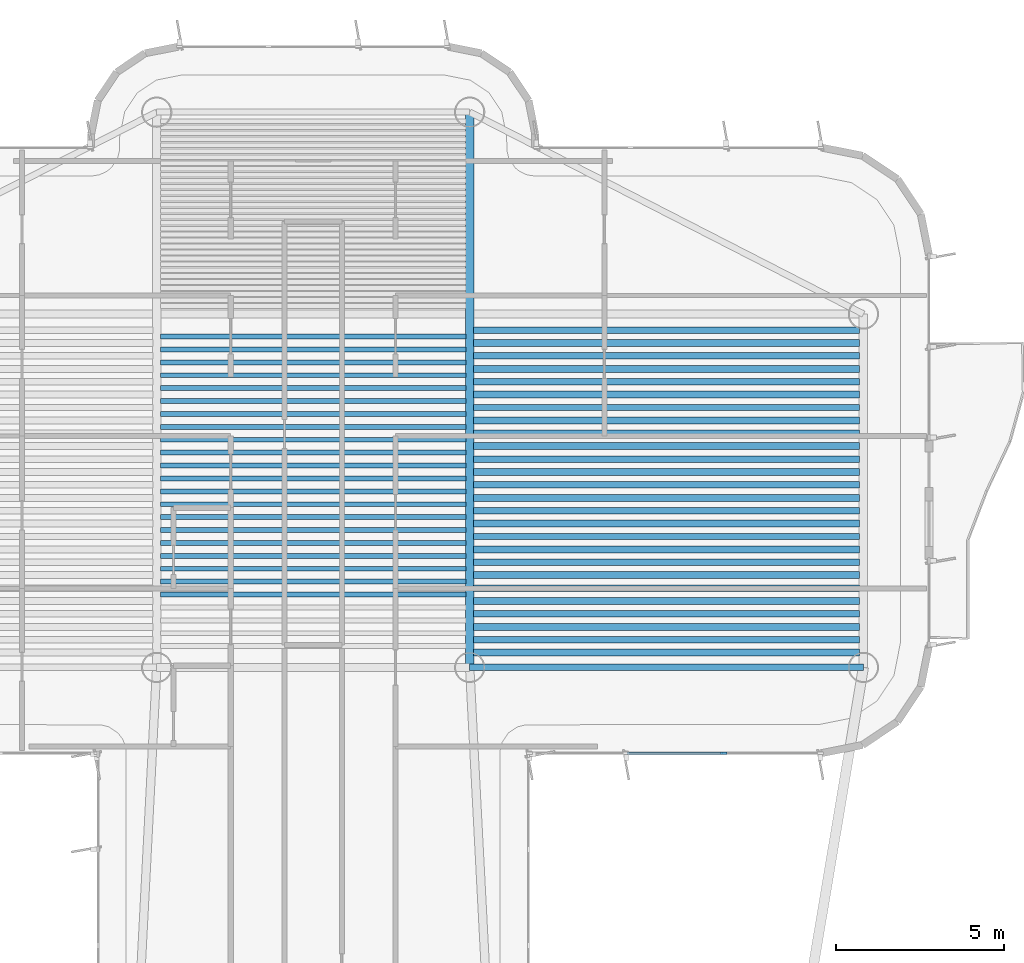
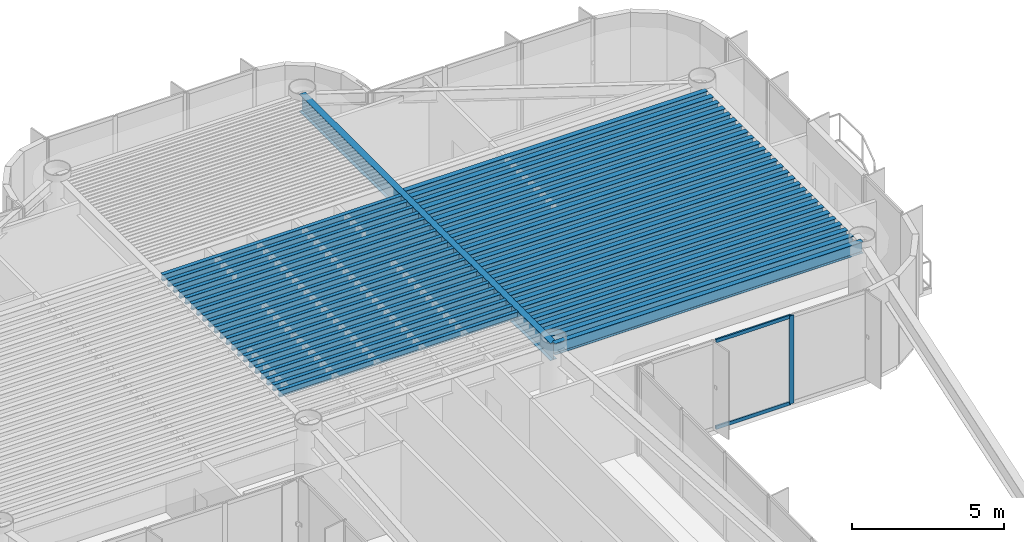
# One storey, part 6 of 15: 49 beams, 3 members, 1 element without a shape of its own.
"""IFC4 building model written with IfcOpenShell, lengths in metres."""

from ifc_helpers import new_model, si_unit, direction, frame, origin, origin_2d, place, context, subcontext, project, spatial, rectangle, i_section, extrude, source, transform, mapped, material, layer, layer_set, material_profile, profile_set, type_object, element, aggregate, save


model = new_model("IFC4")

# Units and contexts
model_context = context("Model", 3, precision=1e-05, world=origin(), true_north=direction((0.0, 1.0)))
body_context = subcontext(model_context, "Body", "Model", "MODEL_VIEW")
ifc_project = project(units=[si_unit("LENGTHUNIT", "METRE"), si_unit("AREAUNIT", "SQUARE_METRE"), si_unit("VOLUMEUNIT", "CUBIC_METRE"), si_unit("PLANEANGLEUNIT", "RADIAN"), si_unit("MASSUNIT", "GRAM", prefix="KILO")], contexts=[model_context])

# Site, building, storey
site_placement = place(None, origin())
site = spatial("IfcSite", under=ifc_project, at=site_placement, CompositionType="ELEMENT")
building_placement = place(site_placement, origin())
building = spatial("IfcBuilding", under=site, at=building_placement, Name="Brelvock Crest Care Tower", CompositionType="ELEMENT")
storey_placement = place(building_placement, frame((0.0, 0.0, 260.820068359375)))
storey = spatial("IfcBuildingStorey", under=building, at=storey_placement, Name="L66", CompositionType="ELEMENT", Elevation=260.820068359375)

# Beams
ifc_material_1 = material(Name="Steel Grade 350", Category="steel")
ifc_material_profile_1 = material_profile(ifc_material_1, i_section(OverallWidth=0.14599609375, OverallDepth=0.256103515625, WebThickness=0.00634765625, FlangeThickness=0.010986328125, FilletRadius=0.0087890625, at=origin_2d()), Name="250UB37.3")
ifc_profile_set_1 = profile_set([ifc_material_profile_1], Name="Steel Grade 350")
beam_type_1 = type_object("IfcBeamType", Name="BM-J3", PredefinedType="JOIST", material=ifc_profile_set_1)
shared_shape_1 = source(origin(), body_context, "Body", "SweptSolid", [
    extrude(i_section(OverallWidth=0.14599609375, OverallDepth=0.256103515625, WebThickness=0.00634765625, FlangeThickness=0.010986328125, FilletRadius=0.0087890625, at=origin_2d()), origin(), (0.0, 0.0, 1.0), 9.06982421875),
])
for number, where, z_axis, x_axis, name in (
    (1, (31.465087890625, 46.115478515625, 3.40185546875), (1.0, 0.0, 0.0), (0.0, 1.0, 0.0), "BM-JH-L66-5"),
    (2, (31.465087890625, 46.498779296875, 3.40185546875), (1.0, 0.0, 0.0), (0.0, 1.0, 0.0), "BM-JH-L66-6"),
    (3, (31.465087890625, 46.882080078125, 3.40185546875), (1.0, 0.0, 0.0), (0.0, 1.0, 0.0), "BM-JH-L66-7"),
    (4, (31.465087890625, 47.265380859375, 3.40185546875), (1.0, 0.0, 0.0), (0.0, 1.0, 0.0), "BM-JH-L66-8"),
    (5, (31.465087890625, 47.648681640625, 3.40185546875), (1.0, 0.0, 0.0), (0.0, 1.0, 0.0), "BM-JH-L66-9"),
    (6, (31.465087890625, 48.031982421875, 3.40185546875), (1.0, 0.0, 0.0), (0.0, 1.0, 0.0), "BM-JH-L66-10"),
    (7, (31.465087890625, 48.4150390625, 3.40185546875), (1.0, 0.0, 0.0), (0.0, 1.0, 0.0), "BM-JH-L66-11"),
    (8, (31.465087890625, 48.79833984375, 3.40185546875), (1.0, 0.0, 0.0), (0.0, 1.0, 0.0), "BM-JH-L66-12"),
    (9, (31.465087890625, 49.181640625, 3.40185546875), (1.0, 0.0, 0.0), (0.0, 1.0, 0.0), "BM-JH-L66-13"),
    (10, (31.465087890625, 49.564697265625, 3.40185546875), (1.0, 0.0, 0.0), (0.0, 1.0, 0.0), "BM-JH-L66-14"),
    (11, (31.465087890625, 49.947998046875, 3.40185546875), (1.0, 0.0, 0.0), (0.0, 1.0, 0.0), "BM-JH-L66-15"),
    (12, (31.465087890625, 50.331298828125, 3.40185546875), (1.0, 0.0, 0.0), (0.0, 1.0, 0.0), "BM-JH-L66-16"),
    (13, (31.465087890625, 50.714599609375, 3.40185546875), (1.0, 0.0, 0.0), (0.0, 1.0, 0.0), "BM-JH-L66-17"),
    (14, (31.465087890625, 51.097900390625, 3.40185546875), (1.0, 0.0, 0.0), (0.0, 1.0, 0.0), "BM-JH-L66-18"),
    (15, (31.465087890625, 51.481201171875, 3.40185546875), (1.0, 0.0, 0.0), (0.0, 1.0, 0.0), "BM-JH-L66-19"),
    (16, (31.465087890625, 51.864501953125, 3.40185546875), (1.0, 0.0, 0.0), (0.0, 1.0, 0.0), "BM-JH-L66-20"),
    (17, (31.465087890625, 52.24755859375, 3.40185546875), (1.0, 0.0, 0.0), (0.0, 1.0, 0.0), "BM-JH-L66-21"),
    (18, (31.465087890625, 52.630859375, 3.40185546875), (1.0, 0.0, 0.0), (0.0, 1.0, 0.0), "BM-JH-L66-22"),
    (19, (31.465087890625, 53.01416015625, 3.40185546875), (1.0, 0.0, 0.0), (0.0, 1.0, 0.0), "BM-JH-L66-23"),
    (20, (31.465087890625, 53.3974609375, 3.40185546875), (1.0, 0.0, 0.0), (0.0, 1.0, 0.0), "BM-JH-L66-24"),
    (21, (31.465087890625, 53.780517578125, 3.40185546875), (1.0, 0.0, 0.0), (0.0, 1.0, 0.0), "BM-JH-L66-25"),
):
    element("IfcBeam", number, at=place(storey_placement, frame(where, z_axis=z_axis, x_axis=x_axis)), inside=storey, type_object=beam_type_1, Name=name, PredefinedType="JOIST", context=body_context, shape_type="MappedRepresentation", body=[
        mapped(shared_shape_1, transform((0.0, 0.0, 0.0), x_axis=(1.0, 0.0, 0.0), y_axis=(0.0, 1.0, 0.0), z_axis=(0.0, 0.0, 1.0), scale=1.0)),
    ])
ifc_material_profile_2 = material_profile(ifc_material_1, i_section(OverallWidth=0.19091796875, OverallDepth=0.4599609375, WebThickness=0.010009765625, FlangeThickness=0.01611328125, FilletRadius=0.011474609375, at=origin_2d()), Name="460UB82.1")
ifc_profile_set_2 = profile_set([ifc_material_profile_2], Name="Steel Grade 350")
beam_type_2 = type_object("IfcBeamType", Name="BM-G3", PredefinedType="BEAM", material=ifc_profile_set_2)
shared_shape_2 = source(origin(), body_context, "Body", "SweptSolid", [
    extrude(i_section(OverallWidth=0.19091796875, OverallDepth=0.4599609375, WebThickness=0.010009765625, FlangeThickness=0.01611328125, FilletRadius=0.011474609375, at=origin_2d()), origin(), (0.0, 0.0, 1.0), 11.47021484375),
])
for number, where, z_axis, x_axis, name in (
    (22, (40.764892578125, 44.7744140625, 3.300048828125), (1.0, 0.0, 0.0), (0.0, 1.0, 0.0), "BM-JE-L66-2"),
    (23, (40.764892578125, 45.540771484375, 3.300048828125), (1.0, 0.0, 0.0), (0.0, 1.0, 0.0), "BM-JE-L66-4"),
    (24, (40.764892578125, 46.307373046875, 3.300048828125), (1.0, 0.0, 0.0), (0.0, 1.0, 0.0), "BM-JE-L66-6"),
    (25, (40.764892578125, 47.07373046875, 3.300048828125), (1.0, 0.0, 0.0), (0.0, 1.0, 0.0), "BM-JE-L66-8"),
    (26, (40.764892578125, 47.84033203125, 3.300048828125), (1.0, 0.0, 0.0), (0.0, 1.0, 0.0), "BM-JE-L66-10"),
    (27, (40.764892578125, 48.606689453125, 3.300048828125), (1.0, 0.0, 0.0), (0.0, 1.0, 0.0), "BM-JE-L66-12"),
    (28, (40.764892578125, 49.373291015625, 3.300048828125), (1.0, 0.0, 0.0), (0.0, 1.0, 0.0), "BM-JE-L66-14"),
    (29, (40.764892578125, 50.139892578125, 3.300048828125), (1.0, 0.0, 0.0), (0.0, 1.0, 0.0), "BM-JE-L66-16"),
    (30, (40.764892578125, 50.90625, 3.300048828125), (1.0, 0.0, 0.0), (0.0, 1.0, 0.0), "BM-JE-L66-18"),
    (31, (40.764892578125, 51.6728515625, 3.300048828125), (1.0, 0.0, 0.0), (0.0, 1.0, 0.0), "BM-JE-L66-20"),
    (32, (40.764892578125, 52.439208984375, 3.300048828125), (1.0, 0.0, 0.0), (0.0, 1.0, 0.0), "BM-JE-L66-22"),
    (33, (40.764892578125, 53.205810546875, 3.300048828125), (1.0, 0.0, 0.0), (0.0, 1.0, 0.0), "BM-JE-L66-24"),
    (34, (40.764892578125, 53.972412109375, 3.300048828125), (1.0, 0.0, 0.0), (0.0, 1.0, 0.0), "BM-JE-L66-26"),
):
    element("IfcBeam", number, at=place(storey_placement, frame(where, z_axis=z_axis, x_axis=x_axis)), inside=storey, type_object=beam_type_2, Name=name, PredefinedType="BEAM", context=body_context, shape_type="MappedRepresentation", body=[
        mapped(shared_shape_2, transform((0.0, 0.0, 0.0), x_axis=(1.0, 0.0, 0.0), y_axis=(0.0, 1.0, 0.0), z_axis=(0.0, 0.0, 1.0), scale=1.0)),
    ])
ifc_material_profile_3 = material_profile(ifc_material_1, i_section(OverallWidth=0.208984375, OverallDepth=0.532958984375, WebThickness=0.01025390625, FlangeThickness=0.015625, FilletRadius=0.013916015625, at=origin_2d()), Name="530UB92.4")
ifc_profile_set_3 = profile_set([ifc_material_profile_3], Name="Steel Grade 350")
beam_type_3 = type_object("IfcBeamType", Name="BM-G2", PredefinedType="BEAM", material=ifc_profile_set_3)
shared_shape_3 = source(origin(), body_context, "Body", "SweptSolid", [
    extrude(i_section(OverallWidth=0.208984375, OverallDepth=0.532958984375, WebThickness=0.01025390625, FlangeThickness=0.015625, FilletRadius=0.013916015625, at=origin_2d()), origin(), (0.0, 0.0, 1.0), 11.47021484375),
])
for number, where, z_axis, x_axis, name in (
    (35, (40.764892578125, 44.39111328125, 3.263427734375), (1.0, 0.0, 0.0), (0.0, 1.0, 0.0), "BM-JE-L66-1"),
    (36, (40.764892578125, 45.157470703125, 3.263427734375), (1.0, 0.0, 0.0), (0.0, 1.0, 0.0), "BM-JE-L66-3"),
    (37, (40.764892578125, 45.924072265625, 3.263427734375), (1.0, 0.0, 0.0), (0.0, 1.0, 0.0), "BM-JE-L66-5"),
    (38, (40.764892578125, 46.6904296875, 3.263427734375), (1.0, 0.0, 0.0), (0.0, 1.0, 0.0), "BM-JE-L66-7"),
    (39, (40.764892578125, 47.45703125, 3.263427734375), (1.0, 0.0, 0.0), (0.0, 1.0, 0.0), "BM-JE-L66-9"),
    (40, (40.764892578125, 48.223388671875, 3.263427734375), (1.0, 0.0, 0.0), (0.0, 1.0, 0.0), "BM-JE-L66-11"),
    (41, (40.764892578125, 48.989990234375, 3.263427734375), (1.0, 0.0, 0.0), (0.0, 1.0, 0.0), "BM-JE-L66-13"),
    (42, (40.764892578125, 49.756591796875, 3.263427734375), (1.0, 0.0, 0.0), (0.0, 1.0, 0.0), "BM-JE-L66-15"),
    (43, (40.764892578125, 50.52294921875, 3.263427734375), (1.0, 0.0, 0.0), (0.0, 1.0, 0.0), "BM-JE-L66-17"),
    (44, (40.764892578125, 51.28955078125, 3.263427734375), (1.0, 0.0, 0.0), (0.0, 1.0, 0.0), "BM-JE-L66-19"),
    (45, (40.764892578125, 52.055908203125, 3.263427734375), (1.0, 0.0, 0.0), (0.0, 1.0, 0.0), "BM-JE-L66-21"),
    (46, (40.764892578125, 52.822509765625, 3.263427734375), (1.0, 0.0, 0.0), (0.0, 1.0, 0.0), "BM-JE-L66-23"),
    (47, (40.764892578125, 53.589111328125, 3.263427734375), (1.0, 0.0, 0.0), (0.0, 1.0, 0.0), "BM-JE-L66-25"),
):
    element("IfcBeam", number, at=place(storey_placement, frame(where, z_axis=z_axis, x_axis=x_axis)), inside=storey, type_object=beam_type_3, Name=name, PredefinedType="BEAM", context=body_context, shape_type="MappedRepresentation", body=[
        mapped(shared_shape_3, transform((0.0, 0.0, 0.0), x_axis=(1.0, 0.0, 0.0), y_axis=(0.0, 1.0, 0.0), z_axis=(0.0, 0.0, 1.0), scale=1.0)),
    ])
ifc_material_profile_4 = material_profile(ifc_material_1, i_section(OverallWidth=0.19091796875, OverallDepth=0.4599609375, WebThickness=0.010009765625, FlangeThickness=0.01611328125, FilletRadius=0.011474609375, at=origin_2d()), Name="460UB82.1")
ifc_profile_set_4 = profile_set([ifc_material_profile_4], Name="Steel Grade 350")
beam_type_4 = type_object("IfcBeamType", Name="BM-SP2", PredefinedType="SPANDREL", material=ifc_profile_set_4)
shared_shape_4 = source(origin(), body_context, "Body", "SweptSolid", [
    extrude(i_section(OverallWidth=0.19091796875, OverallDepth=0.4599609375, WebThickness=0.010009765625, FlangeThickness=0.01611328125, FilletRadius=0.011474609375, at=origin_2d()), origin(), (0.0, 0.0, 1.0), 11.7001953125),
])
beam_1_placement = place(storey_placement, frame((40.64990234375, 43.949951171875, 3.300048828125), z_axis=(1.0, 0.0, 0.0), x_axis=(0.0, 1.0, 0.0)))
element("IfcBeam", 48, at=beam_1_placement, inside=storey, type_object=beam_type_4, Name="BM-TWR-L66-04", PredefinedType="SPANDREL", context=body_context, shape_type="MappedRepresentation", body=[
    mapped(shared_shape_4, transform((0.0, 0.0, 0.0), x_axis=(1.0, 0.0, 0.0), y_axis=(0.0, 1.0, 0.0), z_axis=(0.0, 0.0, 1.0), scale=1.0)),
])
ifc_material_profile_5 = material_profile(ifc_material_1, i_section(OverallWidth=0.25, OverallDepth=0.699951171875, WebThickness=0.011962890625, FlangeThickness=0.02001953125, at=origin_2d()), Name="700WB150")
ifc_profile_set_5 = profile_set([ifc_material_profile_5], Name="Steel Grade 350")
beam_type_5 = type_object("IfcBeamType", Name="BM-G4", PredefinedType="BEAM", material=ifc_profile_set_5)
shared_shape_5 = source(origin(), body_context, "Body", "SweptSolid", [
    extrude(i_section(OverallWidth=0.25, OverallDepth=0.699951171875, WebThickness=0.011962890625, FlangeThickness=0.02001953125, at=origin_2d()), origin(), (0.0, 0.0, 1.0), 16.5),
])
beam_2_placement = place(storey_placement, frame((40.64990234375, 43.949951171875, 3.179931640625), z_axis=(0.0, 1.0, 0.0), x_axis=(-1.0, 0.0, 0.0)))
element("IfcBeam", 49, at=beam_2_placement, inside=storey, type_object=beam_type_5, Name="BM-TWR-L66-10", PredefinedType="BEAM", context=body_context, shape_type="MappedRepresentation", body=[
    mapped(shared_shape_5, transform((0.0, 0.0, 0.0), x_axis=(1.0, 0.0, 0.0), y_axis=(0.0, 1.0, 0.0), z_axis=(0.0, 0.0, 1.0), scale=1.0)),
])

# Curtain wall, members
ifc_material_2 = material(Name="Dark Glass Double Glazed Low-E", Category="glass")
ifc_layer = layer(ifc_material_2, 0.239990234375, Name="CWS-5")
ifc_layer_set = layer_set([ifc_layer], Name="Dark Glass Double Glazed Low-E")
curtain_wall_type = type_object("IfcCurtainWallType", Name="CWS-5", PredefinedType="NOTDEFINED", material=ifc_layer_set)
curtain_wall_placement = place(storey_placement, origin())
curtain_wall = element("IfcCurtainWall", 50, at=curtain_wall_placement, inside=storey, type_object=curtain_wall_type, Name="L66 Curtain Wall E44", PredefinedType="NOTDEFINED")
ifc_material_3 = material(Name="Aluminium 6063-T6", Category="aluminium")
ifc_material_profile_6 = material_profile(ifc_material_3, rectangle(XDim=0.06005859375, YDim=0.179931640625, at=origin_2d()), Name="ALU60x180")
ifc_profile_set_6 = profile_set([ifc_material_profile_6], Name="Aluminium 6063-T6")
member_type_1 = type_object("IfcMemberType", Name="CWM-2", PredefinedType="MULLION", material=ifc_profile_set_6)
shared_shape_6 = source(origin(), body_context, "Body", "SweptSolid", [
    extrude(rectangle(XDim=0.06005859375, YDim=0.179931640625, at=origin_2d()), origin(), (0.0, 0.0, 1.0), 3.530029296875),
])
member_1_placement = place(storey_placement, frame((48.199951171875, 41.39990234375, 0.0), z_axis=(0.0, 0.0, 1.0), x_axis=(0.0, -1.0, 0.0)))
member_1 = element("IfcMember", 51, at=member_1_placement, type_object=member_type_1, Name="CW-5 mullion 2", PredefinedType="MULLION", context=body_context, shape_type="MappedRepresentation", body=[
    mapped(shared_shape_6, transform((0.0, 0.0, 0.0), x_axis=(1.0, 0.0, 0.0), y_axis=(0.0, 1.0, 0.0), z_axis=(0.0, 0.0, 1.0), scale=1.0)),
])
ifc_material_profile_7 = material_profile(ifc_material_3, rectangle(XDim=0.06005859375, YDim=0.139892578125, at=origin_2d()), Name="ALU60x140")
ifc_profile_set_7 = profile_set([ifc_material_profile_7], Name="Aluminium 6063-T6")
member_type_2 = type_object("IfcMemberType", Name="CWT-2", PredefinedType="USERDEFINED", material=ifc_profile_set_7)
shared_shape_7 = source(origin(), body_context, "Body", "SweptSolid", [
    extrude(rectangle(XDim=0.06005859375, YDim=0.139892578125, at=origin_2d()), origin(), (0.0, 0.0, 1.0), 2.83984375),
])
member_2_placement = place(storey_placement, frame((48.169921875, 41.39990234375, 0.030029296875), z_axis=(-1.0, 0.0, 0.0), x_axis=(0.0, -1.0, 0.0)))
member_2 = element("IfcMember", 52, at=member_2_placement, type_object=member_type_2, Name="CW-5 transom 2.1", ObjectType="TRANSOM", PredefinedType="USERDEFINED", context=body_context, shape_type="MappedRepresentation", body=[
    mapped(shared_shape_7, transform((0.0, 0.0, 0.0), x_axis=(1.0, 0.0, 0.0), y_axis=(0.0, 1.0, 0.0), z_axis=(0.0, 0.0, 1.0), scale=1.0)),
])
member_3_placement = place(storey_placement, frame((48.169921875, 41.39990234375, 3.5), z_axis=(-1.0, 0.0, 0.0), x_axis=(0.0, -1.0, 0.0)))
member_3 = element("IfcMember", 53, at=member_3_placement, type_object=member_type_2, Name="CW-5 transom 2.2", ObjectType="TRANSOM", PredefinedType="USERDEFINED", context=body_context, shape_type="MappedRepresentation", body=[
    mapped(shared_shape_7, transform((0.0, 0.0, 0.0), x_axis=(1.0, 0.0, 0.0), y_axis=(0.0, 1.0, 0.0), z_axis=(0.0, 0.0, 1.0), scale=1.0)),
])
aggregate(curtain_wall, [member_1, member_2, member_3])

save(model, "model.ifc")
